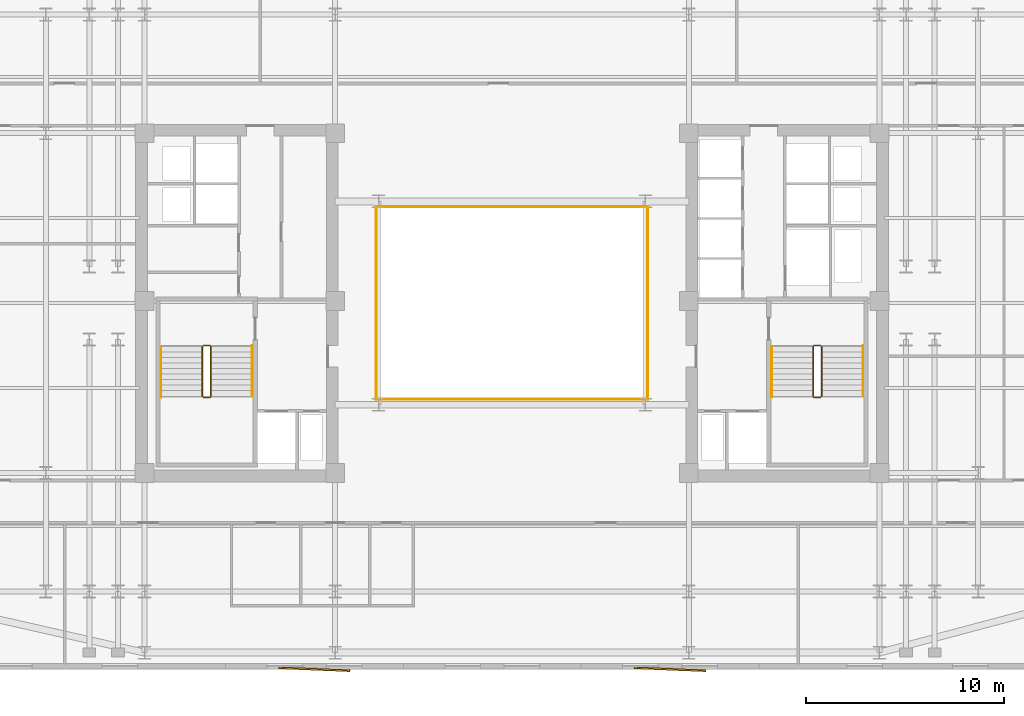
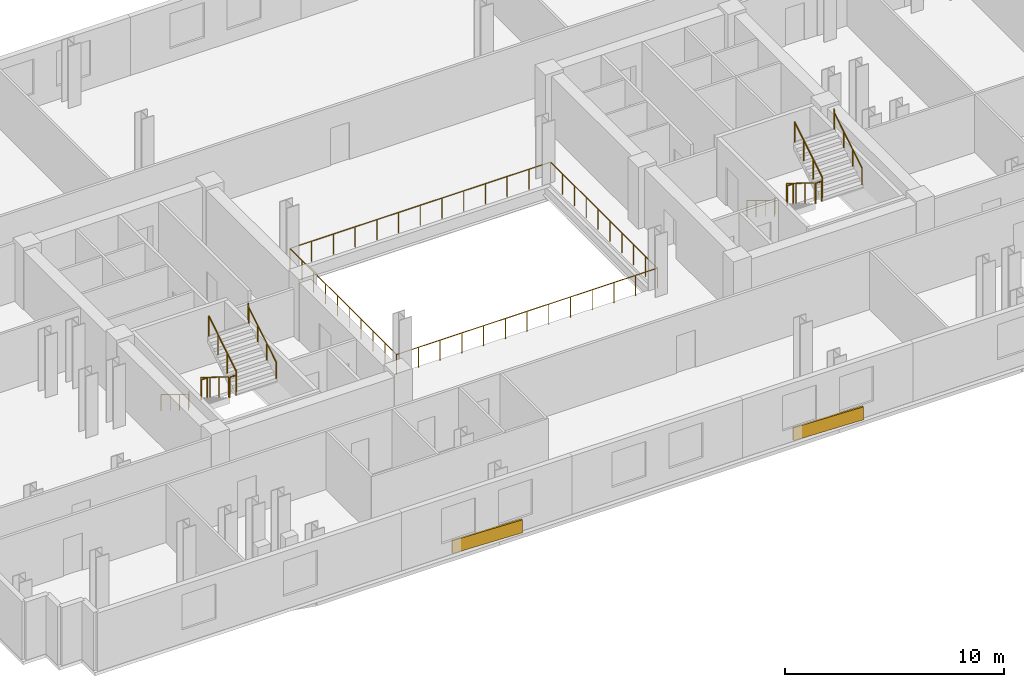
# One storey, part 9 of 10: 16 railings, 2 coverings.
"""IFC4 building model written with IfcOpenShell, lengths in metres."""

from ifc_helpers import new_model, si_unit, direction, frame, origin, origin_2d, place, context, subcontext, project, spatial, rectangle, circle, extrude, material, layer, layer_set, type_object, element, save


model = new_model("IFC4")

# Units and contexts
model_context = context("Model", 3, precision=1e-05, world=origin(), true_north=direction((0.0, 1.0)))
body_context = subcontext(model_context, "Body", "Model", "MODEL_VIEW")
ifc_project = project(units=[si_unit("LENGTHUNIT", "METRE"), si_unit("AREAUNIT", "SQUARE_METRE"), si_unit("VOLUMEUNIT", "CUBIC_METRE"), si_unit("PLANEANGLEUNIT", "RADIAN"), si_unit("MASSUNIT", "GRAM", prefix="KILO")], contexts=[model_context])

# Site, building, storey
site_placement = place(None, origin())
site = spatial("IfcSite", under=ifc_project, at=site_placement, CompositionType="ELEMENT")
building_placement = place(site_placement, origin())
building = spatial("IfcBuilding", under=site, at=building_placement, Name="Velakula Bourse", CompositionType="ELEMENT")
storey_placement = place(building_placement, frame((0.0, 0.0, 127.75)))
storey = spatial("IfcBuildingStorey", under=building, at=storey_placement, Name="L34", CompositionType="ELEMENT", Elevation=127.75)

# Coverings
ifc_material_1 = material(Name="Red kilned clay facing brick masonry", Category="masonry")
ifc_layer = layer(ifc_material_1, 0.090087890625, Name="Red kilned clay facing brick masonry", Category="masonry")
ifc_layer_set = layer_set([ifc_layer], Name="Red kilned clay facing brick masonry")
covering_type = type_object("IfcCoveringType", Name="COV-BRK-FOLD-90", PredefinedType="CLADDING", material=ifc_layer_set)
for number, where, z_axis, x_axis, name in (
    (1, (-10.0, -18.5400390625, 0.0), (0.0, 0.0, 1.0), (0.999158993058, -0.041003738744, 0.0), "L34 Folded Brick Facade Cladding Panel S-B2"),
    (2, (8.0, -18.5400390625, 0.0), (0.0, 0.0, 1.0), (0.999158993058, -0.041003738744, 0.0), "L34 Folded Brick Facade Cladding Panel S-B4"),
):
    element("IfcCovering", number, at=place(storey_placement, frame(where, z_axis=z_axis, x_axis=x_axis)), inside=storey, type_object=covering_type, Name=name, PredefinedType="CLADDING", context=body_context, shape_type="SweptSolid", body=[
        extrude(rectangle(XDim=3.60009765625, YDim=0.090087890625, at=origin_2d()), origin(), (0.0, 0.0, 1.0), 0.719970703125),
    ])

# Railings
ifc_material_2 = material(Name="Brushed grade 316 stainless steel", Category="steel")
railing_type_1 = type_object("IfcRailingType", Name="RLG-ATRIUM-1150", PredefinedType="BALUSTRADE", material=ifc_material_2)
railing_1_placement = place(storey_placement, frame((-6.8798828125, -4.8798828125, 0.0)))
element("IfcRailing", 3, at=railing_1_placement, inside=storey, type_object=railing_type_1, Name="L34 Central Trading Atrium Balustrade S", PredefinedType="BALUSTRADE", context=body_context, shape_type="SweptSolid", body=[
    extrude(circle(Radius=0.02392578125, at=origin_2d()), frame((0.0, 0.0, 1.1259765625), z_axis=(1.0, 0.0, 0.0), x_axis=(0.0, 1.0, 0.0)), (0.0, 0.0, 1.0), 13.759765625),
    extrude(circle(Radius=0.02099609375, at=origin_2d()), origin(), (0.0, 0.0, 1.0), 1.101806640625),
    extrude(circle(Radius=0.02099609375, at=origin_2d()), frame((1.146728515625, 0.0, 0.0)), (0.0, 0.0, 1.0), 1.101806640625),
    extrude(circle(Radius=0.02099609375, at=origin_2d()), frame((2.293212890625, 0.0, 0.0)), (0.0, 0.0, 1.0), 1.101806640625),
    extrude(circle(Radius=0.02099609375, at=origin_2d()), frame((3.43994140625, 0.0, 0.0)), (0.0, 0.0, 1.0), 1.101806640625),
    extrude(circle(Radius=0.02099609375, at=origin_2d()), frame((4.586669921875, 0.0, 0.0)), (0.0, 0.0, 1.0), 1.101806640625),
    extrude(circle(Radius=0.02099609375, at=origin_2d()), frame((5.733154296875, 0.0, 0.0)), (0.0, 0.0, 1.0), 1.101806640625),
    extrude(circle(Radius=0.02099609375, at=origin_2d()), frame((6.8798828125, 0.0, 0.0)), (0.0, 0.0, 1.0), 1.101806640625),
    extrude(circle(Radius=0.02099609375, at=origin_2d()), frame((8.026611328125, 0.0, 0.0)), (0.0, 0.0, 1.0), 1.101806640625),
    extrude(circle(Radius=0.02099609375, at=origin_2d()), frame((9.173095703125, 0.0, 0.0)), (0.0, 0.0, 1.0), 1.101806640625),
    extrude(circle(Radius=0.02099609375, at=origin_2d()), frame((10.31982421875, 0.0, 0.0)), (0.0, 0.0, 1.0), 1.101806640625),
    extrude(circle(Radius=0.02099609375, at=origin_2d()), frame((11.466552734375, 0.0, 0.0)), (0.0, 0.0, 1.0), 1.101806640625),
    extrude(circle(Radius=0.02099609375, at=origin_2d()), frame((12.613037109375, 0.0, 0.0)), (0.0, 0.0, 1.0), 1.101806640625),
    extrude(circle(Radius=0.02099609375, at=origin_2d()), frame((13.759765625, 0.0, 0.0)), (0.0, 0.0, 1.0), 1.101806640625),
])
railing_2_placement = place(storey_placement, frame((6.8798828125, -4.8798828125, 0.0)))
element("IfcRailing", 4, at=railing_2_placement, inside=storey, type_object=railing_type_1, Name="L34 Central Trading Atrium Balustrade E", PredefinedType="BALUSTRADE", context=body_context, shape_type="SweptSolid", body=[
    extrude(circle(Radius=0.02392578125, at=origin_2d()), frame((0.0, 0.0, 1.1259765625), z_axis=(0.0, 1.0, 0.0), x_axis=(-1.0, 0.0, 0.0)), (0.0, 0.0, 1.0), 9.759765625),
    extrude(circle(Radius=0.02099609375, at=origin_2d()), origin(), (0.0, 0.0, 1.0), 1.101806640625),
    extrude(circle(Radius=0.02099609375, at=origin_2d()), frame((0.0, 1.08447265625, 0.0)), (0.0, 0.0, 1.0), 1.101806640625),
    extrude(circle(Radius=0.02099609375, at=origin_2d()), frame((0.0, 2.1689453125, 0.0)), (0.0, 0.0, 1.0), 1.101806640625),
    extrude(circle(Radius=0.02099609375, at=origin_2d()), frame((0.0, 3.253173828125, 0.0)), (0.0, 0.0, 1.0), 1.101806640625),
    extrude(circle(Radius=0.02099609375, at=origin_2d()), frame((0.0, 4.337646484375, 0.0)), (0.0, 0.0, 1.0), 1.101806640625),
    extrude(circle(Radius=0.02099609375, at=origin_2d()), frame((0.0, 5.422119140625, 0.0)), (0.0, 0.0, 1.0), 1.101806640625),
    extrude(circle(Radius=0.02099609375, at=origin_2d()), frame((0.0, 6.506591796875, 0.0)), (0.0, 0.0, 1.0), 1.101806640625),
    extrude(circle(Radius=0.02099609375, at=origin_2d()), frame((0.0, 7.5908203125, 0.0)), (0.0, 0.0, 1.0), 1.101806640625),
    extrude(circle(Radius=0.02099609375, at=origin_2d()), frame((0.0, 8.67529296875, 0.0)), (0.0, 0.0, 1.0), 1.101806640625),
    extrude(circle(Radius=0.02099609375, at=origin_2d()), frame((0.0, 9.759765625, 0.0)), (0.0, 0.0, 1.0), 1.101806640625),
])
railing_3_placement = place(storey_placement, frame((6.8798828125, 4.8798828125, 0.0)))
element("IfcRailing", 5, at=railing_3_placement, inside=storey, type_object=railing_type_1, Name="L34 Central Trading Atrium Balustrade N", PredefinedType="BALUSTRADE", context=body_context, shape_type="SweptSolid", body=[
    extrude(circle(Radius=0.02392578125, at=origin_2d()), frame((0.0, 0.0, 1.1259765625), z_axis=(-1.0, 0.0, 0.0), x_axis=(0.0, -1.0, 0.0)), (0.0, 0.0, 1.0), 13.759765625),
    extrude(circle(Radius=0.02099609375, at=origin_2d()), origin(), (0.0, 0.0, 1.0), 1.101806640625),
    extrude(circle(Radius=0.02099609375, at=origin_2d()), frame((-1.146728515625, 0.0, 0.0)), (0.0, 0.0, 1.0), 1.101806640625),
    extrude(circle(Radius=0.02099609375, at=origin_2d()), frame((-2.293212890625, 0.0, 0.0)), (0.0, 0.0, 1.0), 1.101806640625),
    extrude(circle(Radius=0.02099609375, at=origin_2d()), frame((-3.43994140625, 0.0, 0.0)), (0.0, 0.0, 1.0), 1.101806640625),
    extrude(circle(Radius=0.02099609375, at=origin_2d()), frame((-4.586669921875, 0.0, 0.0)), (0.0, 0.0, 1.0), 1.101806640625),
    extrude(circle(Radius=0.02099609375, at=origin_2d()), frame((-5.733154296875, 0.0, 0.0)), (0.0, 0.0, 1.0), 1.101806640625),
    extrude(circle(Radius=0.02099609375, at=origin_2d()), frame((-6.8798828125, 0.0, 0.0)), (0.0, 0.0, 1.0), 1.101806640625),
    extrude(circle(Radius=0.02099609375, at=origin_2d()), frame((-8.026611328125, 0.0, 0.0)), (0.0, 0.0, 1.0), 1.101806640625),
    extrude(circle(Radius=0.02099609375, at=origin_2d()), frame((-9.173095703125, 0.0, 0.0)), (0.0, 0.0, 1.0), 1.101806640625),
    extrude(circle(Radius=0.02099609375, at=origin_2d()), frame((-10.31982421875, 0.0, 0.0)), (0.0, 0.0, 1.0), 1.101806640625),
    extrude(circle(Radius=0.02099609375, at=origin_2d()), frame((-11.466552734375, 0.0, 0.0)), (0.0, 0.0, 1.0), 1.101806640625),
    extrude(circle(Radius=0.02099609375, at=origin_2d()), frame((-12.613037109375, 0.0, 0.0)), (0.0, 0.0, 1.0), 1.101806640625),
    extrude(circle(Radius=0.02099609375, at=origin_2d()), frame((-13.759765625, 0.0, 0.0)), (0.0, 0.0, 1.0), 1.101806640625),
])
railing_4_placement = place(storey_placement, frame((-6.8798828125, 4.8798828125, 0.0)))
element("IfcRailing", 6, at=railing_4_placement, inside=storey, type_object=railing_type_1, Name="L34 Central Trading Atrium Balustrade W", PredefinedType="BALUSTRADE", context=body_context, shape_type="SweptSolid", body=[
    extrude(circle(Radius=0.02392578125, at=origin_2d()), frame((0.0, 0.0, 1.1259765625), z_axis=(0.0, -1.0, 0.0), x_axis=(1.0, 0.0, 0.0)), (0.0, 0.0, 1.0), 9.759765625),
    extrude(circle(Radius=0.02099609375, at=origin_2d()), origin(), (0.0, 0.0, 1.0), 1.101806640625),
    extrude(circle(Radius=0.02099609375, at=origin_2d()), frame((0.0, -1.08447265625, 0.0)), (0.0, 0.0, 1.0), 1.101806640625),
    extrude(circle(Radius=0.02099609375, at=origin_2d()), frame((0.0, -2.1689453125, 0.0)), (0.0, 0.0, 1.0), 1.101806640625),
    extrude(circle(Radius=0.02099609375, at=origin_2d()), frame((0.0, -3.253173828125, 0.0)), (0.0, 0.0, 1.0), 1.101806640625),
    extrude(circle(Radius=0.02099609375, at=origin_2d()), frame((0.0, -4.337646484375, 0.0)), (0.0, 0.0, 1.0), 1.101806640625),
    extrude(circle(Radius=0.02099609375, at=origin_2d()), frame((0.0, -5.422119140625, 0.0)), (0.0, 0.0, 1.0), 1.101806640625),
    extrude(circle(Radius=0.02099609375, at=origin_2d()), frame((0.0, -6.506591796875, 0.0)), (0.0, 0.0, 1.0), 1.101806640625),
    extrude(circle(Radius=0.02099609375, at=origin_2d()), frame((0.0, -7.5908203125, 0.0)), (0.0, 0.0, 1.0), 1.101806640625),
    extrude(circle(Radius=0.02099609375, at=origin_2d()), frame((0.0, -8.67529296875, 0.0)), (0.0, 0.0, 1.0), 1.101806640625),
    extrude(circle(Radius=0.02099609375, at=origin_2d()), frame((0.0, -9.759765625, 0.0)), (0.0, 0.0, 1.0), 1.101806640625),
])
railing_type_2 = type_object("IfcRailingType", Name="RLG-STAIR-GUARD-1150", PredefinedType="BALUSTRADE", material=ifc_material_2)
railing_5_placement = place(storey_placement, frame((-15.672119140625, -2.199951171875, 0.172607421875)))
element("IfcRailing", 7, at=railing_5_placement, inside=storey, type_object=railing_type_2, Name="L34 ST-W1 stair guard 1", PredefinedType="BALUSTRADE", context=body_context, shape_type="SweptSolid", body=[
    extrude(circle(Radius=0.02490234375, at=origin_2d()), frame((0.0, 0.0, 1.125), z_axis=(0.0, -0.851400495292, 0.524516154772), x_axis=(1.0, 0.0, 0.0)), (0.0, 0.0, 1.0), 2.9599609375),
    extrude(circle(Radius=0.02099609375, at=origin_2d()), origin(), (0.0, 0.0, 1.0), 1.099853515625),
    extrude(circle(Radius=0.02099609375, at=origin_2d()), frame((0.0, -0.840087890625, 0.517578125)), (0.0, 0.0, 1.0), 1.099853515625),
    extrude(circle(Radius=0.02099609375, at=origin_2d()), frame((0.0, -1.679931640625, 1.034912109375)), (0.0, 0.0, 1.0), 1.099853515625),
    extrude(circle(Radius=0.02099609375, at=origin_2d()), frame((0.0, -2.52001953125, 1.552490234375)), (0.0, 0.0, 1.0), 1.099853515625),
])
railing_6_placement = place(storey_placement, frame((-15.6220703125, -4.77001953125, 1.72509765625)))
element("IfcRailing", 8, at=railing_6_placement, inside=storey, type_object=railing_type_2, Name="L34 ST-W1 stair guard 2", PredefinedType="BALUSTRADE", context=body_context, shape_type="SweptSolid", body=[
    extrude(circle(Radius=0.02490234375, at=origin_2d()), frame((0.0, 0.0, 1.125), z_axis=(1.0, 0.0, 0.0), x_axis=(0.0, 1.0, 0.0)), (0.0, 0.0, 1.0), 0.323974609375),
    extrude(circle(Radius=0.02099609375, at=origin_2d()), origin(), (0.0, 0.0, 1.0), 1.099853515625),
    extrude(circle(Radius=0.02099609375, at=origin_2d()), frame((0.323974609375, 0.0, 0.0)), (0.0, 0.0, 1.0), 1.099853515625),
])
railing_7_placement = place(storey_placement, frame((-15.248046875, -4.719970703125, 1.8974609375)))
element("IfcRailing", 9, at=railing_7_placement, inside=storey, type_object=railing_type_2, Name="L34 ST-W1 stair guard 3", PredefinedType="BALUSTRADE", context=body_context, shape_type="SweptSolid", body=[
    extrude(circle(Radius=0.02490234375, at=origin_2d()), frame((0.0, 0.0, 1.125), z_axis=(0.0, 0.851400495292, 0.524516154772), x_axis=(-1.0, 0.0, 0.0)), (0.0, 0.0, 1.0), 2.9599609375),
    extrude(circle(Radius=0.02099609375, at=origin_2d()), origin(), (0.0, 0.0, 1.0), 1.099853515625),
    extrude(circle(Radius=0.02099609375, at=origin_2d()), frame((0.0, 0.840087890625, 0.517578125)), (0.0, 0.0, 1.0), 1.099853515625),
    extrude(circle(Radius=0.02099609375, at=origin_2d()), frame((0.0, 1.679931640625, 1.034912109375)), (0.0, 0.0, 1.0), 1.099853515625),
    extrude(circle(Radius=0.02099609375, at=origin_2d()), frame((0.0, 2.52001953125, 1.552490234375)), (0.0, 0.0, 1.0), 1.099853515625),
])
railing_8_placement = place(storey_placement, frame((-15.6220703125, -2.14990234375, 0.0)))
element("IfcRailing", 10, at=railing_8_placement, inside=storey, type_object=railing_type_2, Name="L34 ST-W1 stair guard 4", PredefinedType="BALUSTRADE", context=body_context, shape_type="SweptSolid", body=[
    extrude(circle(Radius=0.02490234375, at=origin_2d()), frame((0.0, 0.0, 1.125), z_axis=(1.0, 0.0, 0.0), x_axis=(0.0, 1.0, 0.0)), (0.0, 0.0, 1.0), 0.323974609375),
    extrude(circle(Radius=0.02099609375, at=origin_2d()), origin(), (0.0, 0.0, 1.0), 1.099853515625),
    extrude(circle(Radius=0.02099609375, at=origin_2d()), frame((0.323974609375, 0.0, 0.0)), (0.0, 0.0, 1.0), 1.099853515625),
])
railing_9_placement = place(storey_placement, frame((15.248046875, -2.199951171875, 0.172607421875)))
element("IfcRailing", 11, at=railing_9_placement, inside=storey, type_object=railing_type_2, Name="L34 ST-E1 stair guard 1", PredefinedType="BALUSTRADE", context=body_context, shape_type="SweptSolid", body=[
    extrude(circle(Radius=0.02490234375, at=origin_2d()), frame((0.0, 0.0, 1.125), z_axis=(0.0, -0.851400495292, 0.524516154772), x_axis=(1.0, 0.0, 0.0)), (0.0, 0.0, 1.0), 2.9599609375),
    extrude(circle(Radius=0.02099609375, at=origin_2d()), origin(), (0.0, 0.0, 1.0), 1.099853515625),
    extrude(circle(Radius=0.02099609375, at=origin_2d()), frame((0.0, -0.840087890625, 0.517578125)), (0.0, 0.0, 1.0), 1.099853515625),
    extrude(circle(Radius=0.02099609375, at=origin_2d()), frame((0.0, -1.679931640625, 1.034912109375)), (0.0, 0.0, 1.0), 1.099853515625),
    extrude(circle(Radius=0.02099609375, at=origin_2d()), frame((0.0, -2.52001953125, 1.552490234375)), (0.0, 0.0, 1.0), 1.099853515625),
])
railing_10_placement = place(storey_placement, frame((15.298095703125, -4.77001953125, 1.72509765625)))
element("IfcRailing", 12, at=railing_10_placement, inside=storey, type_object=railing_type_2, Name="L34 ST-E1 stair guard 2", PredefinedType="BALUSTRADE", context=body_context, shape_type="SweptSolid", body=[
    extrude(circle(Radius=0.02490234375, at=origin_2d()), frame((0.0, 0.0, 1.125), z_axis=(1.0, 0.0, 0.0), x_axis=(0.0, 1.0, 0.0)), (0.0, 0.0, 1.0), 0.323974609375),
    extrude(circle(Radius=0.02099609375, at=origin_2d()), origin(), (0.0, 0.0, 1.0), 1.099853515625),
    extrude(circle(Radius=0.02099609375, at=origin_2d()), frame((0.323974609375, 0.0, 0.0)), (0.0, 0.0, 1.0), 1.099853515625),
])
railing_11_placement = place(storey_placement, frame((15.672119140625, -4.719970703125, 1.8974609375)))
element("IfcRailing", 13, at=railing_11_placement, inside=storey, type_object=railing_type_2, Name="L34 ST-E1 stair guard 3", PredefinedType="BALUSTRADE", context=body_context, shape_type="SweptSolid", body=[
    extrude(circle(Radius=0.02490234375, at=origin_2d()), frame((0.0, 0.0, 1.125), z_axis=(0.0, 0.851400495292, 0.524516154772), x_axis=(-1.0, 0.0, 0.0)), (0.0, 0.0, 1.0), 2.9599609375),
    extrude(circle(Radius=0.02099609375, at=origin_2d()), origin(), (0.0, 0.0, 1.0), 1.099853515625),
    extrude(circle(Radius=0.02099609375, at=origin_2d()), frame((0.0, 0.840087890625, 0.517578125)), (0.0, 0.0, 1.0), 1.099853515625),
    extrude(circle(Radius=0.02099609375, at=origin_2d()), frame((0.0, 1.679931640625, 1.034912109375)), (0.0, 0.0, 1.0), 1.099853515625),
    extrude(circle(Radius=0.02099609375, at=origin_2d()), frame((0.0, 2.52001953125, 1.552490234375)), (0.0, 0.0, 1.0), 1.099853515625),
])
railing_12_placement = place(storey_placement, frame((15.298095703125, -2.14990234375, 0.0)))
element("IfcRailing", 14, at=railing_12_placement, inside=storey, type_object=railing_type_2, Name="L34 ST-E1 stair guard 4", PredefinedType="BALUSTRADE", context=body_context, shape_type="SweptSolid", body=[
    extrude(circle(Radius=0.02490234375, at=origin_2d()), frame((0.0, 0.0, 1.125), z_axis=(1.0, 0.0, 0.0), x_axis=(0.0, 1.0, 0.0)), (0.0, 0.0, 1.0), 0.323974609375),
    extrude(circle(Radius=0.02099609375, at=origin_2d()), origin(), (0.0, 0.0, 1.0), 1.099853515625),
    extrude(circle(Radius=0.02099609375, at=origin_2d()), frame((0.323974609375, 0.0, 0.0)), (0.0, 0.0, 1.0), 1.099853515625),
])
railing_type_3 = type_object("IfcRailingType", Name="RLG-STAIR-HAND-920", PredefinedType="HANDRAIL", material=ifc_material_2)
railing_13_placement = place(storey_placement, frame((-17.77001953125, -2.199951171875, 0.172607421875)))
element("IfcRailing", 15, at=railing_13_placement, inside=storey, type_object=railing_type_3, Name="L34 ST-W1 stair handrail 1", PredefinedType="HANDRAIL", context=body_context, shape_type="SweptSolid", body=[
    extrude(circle(Radius=0.02099609375, at=origin_2d()), frame((0.0, 0.0, 0.89892578125), z_axis=(0.0, -0.851400495292, 0.524516154772), x_axis=(1.0, 0.0, 0.0)), (0.0, 0.0, 1.0), 2.9599609375),
    extrude(circle(Radius=0.02099609375, at=origin_2d()), frame((0.0, -2.52001953125, 2.451416015625), z_axis=(0.0, -0.226269970362, 0.974064628509), x_axis=(1.0, 0.0, 0.0)), (0.0, 0.0, 1.0), 0.177001953125),
    extrude(circle(Radius=0.02099609375, at=origin_2d()), frame((0.0, -2.56005859375, 2.623779296875), z_axis=(0.0, -1.0, 0.0), x_axis=(1.0, 0.0, 0.0)), (0.0, 0.0, 1.0), 0.0048828125),
    extrude(circle(Radius=0.02099609375, at=origin_2d()), origin(), (0.0, 0.0, 1.0), 0.8779296875),
    extrude(circle(Radius=0.02099609375, at=origin_2d()), frame((0.0, -0.840087890625, 0.517578125)), (0.0, 0.0, 1.0), 0.8779296875),
    extrude(circle(Radius=0.02099609375, at=origin_2d()), frame((0.0, -1.679931640625, 1.034912109375)), (0.0, 0.0, 1.0), 0.8779296875),
    extrude(circle(Radius=0.02099609375, at=origin_2d()), frame((0.0, -2.52001953125, 1.552490234375)), (0.0, 0.0, 1.0), 0.8779296875),
    extrude(circle(Radius=0.02099609375, at=origin_2d()), frame((0.0, -2.56005859375, 1.724853515625)), (0.0, 0.0, 1.0), 0.8779296875),
    extrude(circle(Radius=0.02099609375, at=origin_2d()), frame((0.0, -2.56494140625, 1.724853515625)), (0.0, 0.0, 1.0), 0.8779296875),
])
railing_14_placement = place(storey_placement, frame((-13.14990234375, -4.719970703125, 1.8974609375)))
element("IfcRailing", 16, at=railing_14_placement, inside=storey, type_object=railing_type_3, Name="L34 ST-W1 stair handrail 2", PredefinedType="HANDRAIL", context=body_context, shape_type="SweptSolid", body=[
    extrude(circle(Radius=0.02099609375, at=origin_2d()), frame((0.0, 0.0, 0.89892578125), z_axis=(0.0, 0.851400495292, 0.524516154772), x_axis=(-1.0, 0.0, 0.0)), (0.0, 0.0, 1.0), 2.9599609375),
    extrude(circle(Radius=0.02099609375, at=origin_2d()), frame((0.0, 2.52001953125, 2.451416015625), z_axis=(0.0, 0.22596628056, 0.974135124123), x_axis=(-1.0, 0.0, 0.0)), (0.0, 0.0, 1.0), 0.17724609375),
    extrude(circle(Radius=0.02099609375, at=origin_2d()), frame((0.0, 2.56005859375, 2.6240234375), z_axis=(0.0, 1.0, 0.0), x_axis=(-1.0, 0.0, 0.0)), (0.0, 0.0, 1.0), 0.0048828125),
    extrude(circle(Radius=0.02099609375, at=origin_2d()), origin(), (0.0, 0.0, 1.0), 0.8779296875),
    extrude(circle(Radius=0.02099609375, at=origin_2d()), frame((0.0, 0.840087890625, 0.517578125)), (0.0, 0.0, 1.0), 0.8779296875),
    extrude(circle(Radius=0.02099609375, at=origin_2d()), frame((0.0, 1.679931640625, 1.034912109375)), (0.0, 0.0, 1.0), 0.8779296875),
    extrude(circle(Radius=0.02099609375, at=origin_2d()), frame((0.0, 2.52001953125, 1.552490234375)), (0.0, 0.0, 1.0), 0.8779296875),
    extrude(circle(Radius=0.02099609375, at=origin_2d()), frame((0.0, 2.56005859375, 1.72509765625)), (0.0, 0.0, 1.0), 0.8779296875),
    extrude(circle(Radius=0.02099609375, at=origin_2d()), frame((0.0, 2.56494140625, 1.72509765625)), (0.0, 0.0, 1.0), 0.8779296875),
])
railing_15_placement = place(storey_placement, frame((13.14990234375, -2.199951171875, 0.172607421875)))
element("IfcRailing", 17, at=railing_15_placement, inside=storey, type_object=railing_type_3, Name="L34 ST-E1 stair handrail 1", PredefinedType="HANDRAIL", context=body_context, shape_type="SweptSolid", body=[
    extrude(circle(Radius=0.02099609375, at=origin_2d()), frame((0.0, 0.0, 0.89892578125), z_axis=(0.0, -0.851400495292, 0.524516154772), x_axis=(1.0, 0.0, 0.0)), (0.0, 0.0, 1.0), 2.9599609375),
    extrude(circle(Radius=0.02099609375, at=origin_2d()), frame((0.0, -2.52001953125, 2.451416015625), z_axis=(0.0, -0.226269970362, 0.974064628509), x_axis=(1.0, 0.0, 0.0)), (0.0, 0.0, 1.0), 0.177001953125),
    extrude(circle(Radius=0.02099609375, at=origin_2d()), frame((0.0, -2.56005859375, 2.623779296875), z_axis=(0.0, -1.0, 0.0), x_axis=(1.0, 0.0, 0.0)), (0.0, 0.0, 1.0), 0.0048828125),
    extrude(circle(Radius=0.02099609375, at=origin_2d()), origin(), (0.0, 0.0, 1.0), 0.8779296875),
    extrude(circle(Radius=0.02099609375, at=origin_2d()), frame((0.0, -0.840087890625, 0.517578125)), (0.0, 0.0, 1.0), 0.8779296875),
    extrude(circle(Radius=0.02099609375, at=origin_2d()), frame((0.0, -1.679931640625, 1.034912109375)), (0.0, 0.0, 1.0), 0.8779296875),
    extrude(circle(Radius=0.02099609375, at=origin_2d()), frame((0.0, -2.52001953125, 1.552490234375)), (0.0, 0.0, 1.0), 0.8779296875),
    extrude(circle(Radius=0.02099609375, at=origin_2d()), frame((0.0, -2.56005859375, 1.724853515625)), (0.0, 0.0, 1.0), 0.8779296875),
    extrude(circle(Radius=0.02099609375, at=origin_2d()), frame((0.0, -2.56494140625, 1.724853515625)), (0.0, 0.0, 1.0), 0.8779296875),
])
railing_16_placement = place(storey_placement, frame((17.77001953125, -4.719970703125, 1.8974609375)))
element("IfcRailing", 18, at=railing_16_placement, inside=storey, type_object=railing_type_3, Name="L34 ST-E1 stair handrail 2", PredefinedType="HANDRAIL", context=body_context, shape_type="SweptSolid", body=[
    extrude(circle(Radius=0.02099609375, at=origin_2d()), frame((0.0, 0.0, 0.89892578125), z_axis=(0.0, 0.851400495292, 0.524516154772), x_axis=(-1.0, 0.0, 0.0)), (0.0, 0.0, 1.0), 2.9599609375),
    extrude(circle(Radius=0.02099609375, at=origin_2d()), frame((0.0, 2.52001953125, 2.451416015625), z_axis=(0.0, 0.22596628056, 0.974135124123), x_axis=(-1.0, 0.0, 0.0)), (0.0, 0.0, 1.0), 0.17724609375),
    extrude(circle(Radius=0.02099609375, at=origin_2d()), frame((0.0, 2.56005859375, 2.6240234375), z_axis=(0.0, 1.0, 0.0), x_axis=(-1.0, 0.0, 0.0)), (0.0, 0.0, 1.0), 0.0048828125),
    extrude(circle(Radius=0.02099609375, at=origin_2d()), origin(), (0.0, 0.0, 1.0), 0.8779296875),
    extrude(circle(Radius=0.02099609375, at=origin_2d()), frame((0.0, 0.840087890625, 0.517578125)), (0.0, 0.0, 1.0), 0.8779296875),
    extrude(circle(Radius=0.02099609375, at=origin_2d()), frame((0.0, 1.679931640625, 1.034912109375)), (0.0, 0.0, 1.0), 0.8779296875),
    extrude(circle(Radius=0.02099609375, at=origin_2d()), frame((0.0, 2.52001953125, 1.552490234375)), (0.0, 0.0, 1.0), 0.8779296875),
    extrude(circle(Radius=0.02099609375, at=origin_2d()), frame((0.0, 2.56005859375, 1.72509765625)), (0.0, 0.0, 1.0), 0.8779296875),
    extrude(circle(Radius=0.02099609375, at=origin_2d()), frame((0.0, 2.56494140625, 1.72509765625)), (0.0, 0.0, 1.0), 0.8779296875),
])

save(model, "model.ifc")
